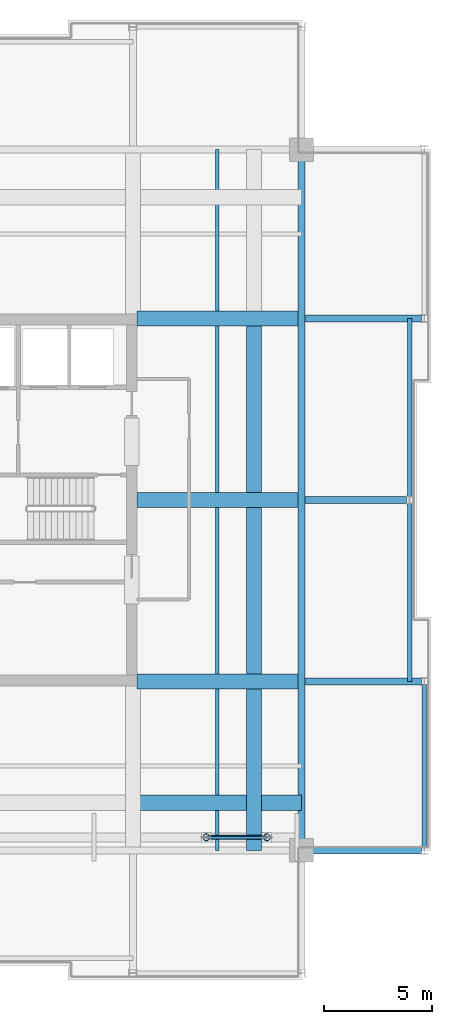
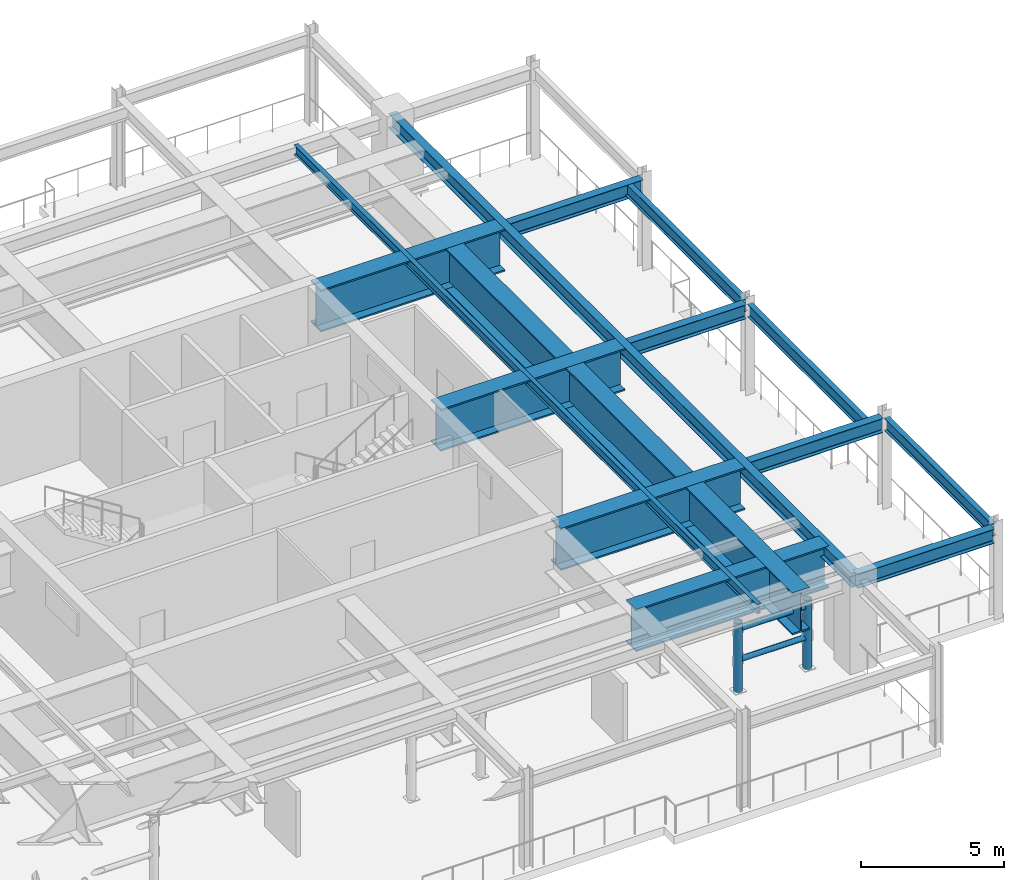
# One storey, part 6 of 12: 16 beams, 4 members.
"""IFC4 building model written with IfcOpenShell, lengths in metres."""

from ifc_helpers import new_model, si_unit, direction, frame, origin, origin_2d, place, context, subcontext, project, spatial, hollow_circle, i_section, extrude, material, material_profile, profile_set, type_object, element, save


model = new_model("IFC4")

# Units and contexts
model_context = context("Model", 3, precision=1e-05, world=origin(), true_north=direction((0.0, 1.0)))
body_context = subcontext(model_context, "Body", "Model", "MODEL_VIEW")
ifc_project = project(units=[si_unit("LENGTHUNIT", "METRE"), si_unit("AREAUNIT", "SQUARE_METRE"), si_unit("VOLUMEUNIT", "CUBIC_METRE"), si_unit("PLANEANGLEUNIT", "RADIAN"), si_unit("MASSUNIT", "GRAM", prefix="KILO")], contexts=[model_context])

# Site, building, storey
site_placement = place(None, origin())
site = spatial("IfcSite", under=ifc_project, at=site_placement, CompositionType="ELEMENT")
building_placement = place(site_placement, origin())
building = spatial("IfcBuilding", under=site, at=building_placement, Name="Drelvath Grand Hotel", CompositionType="ELEMENT")
storey_placement = place(building_placement, frame((0.0, 0.0, 307.199951171875)))
storey = spatial("IfcBuildingStorey", under=building, at=storey_placement, Name="L80", CompositionType="ELEMENT", Elevation=307.199951171875)

# Beams
ifc_material_1 = material(Name="Steel ASTM A572 Gr 50", Category="steel")
ifc_material_profile_1 = material_profile(ifc_material_1, i_section(OverallWidth=0.699951171875, OverallDepth=1.800048828125, WebThickness=0.035888671875, FlangeThickness=0.06494140625, at=origin_2d()), Name="PG1800X700")
ifc_profile_set_1 = profile_set([ifc_material_profile_1], Name="Steel ASTM A572 Gr 50")
beam_type_1 = type_object("IfcBeamType", Name="Built-Up Transfer Girder PG1800X700", PredefinedType="BEAM", material=ifc_profile_set_1)
beam_1_placement = place(storey_placement, frame((14.0, 10.800048828125, 2.97998046875), z_axis=(0.0, 1.0, 0.0), x_axis=(-1.0, 0.0, 0.0)))
element("IfcBeam", 1, at=beam_1_placement, inside=storey, type_object=beam_type_1, Name="L80 Crown Drum Transfer Girder East 1", PredefinedType="BEAM", context=body_context, shape_type="SweptSolid", body=[
    extrude(i_section(OverallWidth=0.699951171875, OverallDepth=1.800048828125, WebThickness=0.035888671875, FlangeThickness=0.06494140625, at=origin_2d()), origin(), (0.0, 0.0, 1.0), 7.800048828125),
])
for number, where, z_axis, x_axis, name in (
    (2, (14.0, 18.60009765625, 2.97998046875), (0.0, 1.0, 0.0), (-1.0, 0.0, 0.0), "L80 Crown Drum Transfer Girder East 2"),
    (3, (14.0, 27.0, 2.97998046875), (0.0, 1.0, 0.0), (-1.0, 0.0, 0.0), "L80 Crown Drum Transfer Girder East 3"),
):
    element("IfcBeam", number, at=place(storey_placement, frame(where, z_axis=z_axis, x_axis=x_axis)), inside=storey, type_object=beam_type_1, Name=name, PredefinedType="BEAM", context=body_context, shape_type="SweptSolid", body=[
        extrude(i_section(OverallWidth=0.699951171875, OverallDepth=1.800048828125, WebThickness=0.035888671875, FlangeThickness=0.06494140625, at=origin_2d()), origin(), (0.0, 0.0, 1.0), 8.39990234375),
    ])
beam_2_placement = place(storey_placement, frame((8.39990234375, 13.0, 2.97998046875), z_axis=(1.0, 0.0, 0.0), x_axis=(0.0, 1.0, 0.0)))
element("IfcBeam", 4, at=beam_2_placement, inside=storey, type_object=beam_type_1, Name="L80 Crown Drum Transfer Girder South 4", PredefinedType="BEAM", context=body_context, shape_type="SweptSolid", body=[
    extrude(i_section(OverallWidth=0.699951171875, OverallDepth=1.800048828125, WebThickness=0.035888671875, FlangeThickness=0.06494140625, at=origin_2d()), origin(), (0.0, 0.0, 1.0), 7.800048828125),
])
for number, where, z_axis, x_axis, name in (
    (5, (8.60009765625, 18.60009765625, 2.97998046875), (1.0, 0.0, 0.0), (0.0, 1.0, 0.0), "L80 Drum Cross Transfer East D"),
    (6, (8.60009765625, 27.0, 2.97998046875), (1.0, 0.0, 0.0), (0.0, 1.0, 0.0), "L80 Drum Cross Transfer East E"),
    (7, (8.60009765625, 35.39990234375, 2.97998046875), (1.0, 0.0, 0.0), (0.0, 1.0, 0.0), "L80 Drum Cross Transfer East F"),
):
    element("IfcBeam", number, at=place(storey_placement, frame(where, z_axis=z_axis, x_axis=x_axis)), inside=storey, type_object=beam_type_1, Name=name, PredefinedType="BEAM", context=body_context, shape_type="SweptSolid", body=[
        extrude(i_section(OverallWidth=0.699951171875, OverallDepth=1.800048828125, WebThickness=0.035888671875, FlangeThickness=0.06494140625, at=origin_2d()), origin(), (0.0, 0.0, 1.0), 7.43798828125),
    ])
ifc_material_2 = material(Name="Steel ASTM A992 Gr 50", Category="steel")
ifc_material_profile_2 = material_profile(ifc_material_2, i_section(OverallWidth=0.177734375, OverallDepth=0.40673828125, WebThickness=0.0078125, FlangeThickness=0.0126953125, FilletRadius=0.014892578125, at=origin_2d()), Name="W16X40")
ifc_profile_set_2 = profile_set([ifc_material_profile_2], Name="Steel ASTM A992 Gr 50")
beam_type_2 = type_object("IfcBeamType", Name="Composite Floor Joist W16X40", PredefinedType="JOIST", material=ifc_profile_set_2)
beam_3_placement = place(storey_placement, frame((12.300048828125, 10.800048828125, 3.6767578125), z_axis=(0.0, 1.0, 0.0), x_axis=(-1.0, 0.0, 0.0)))
element("IfcBeam", 8, at=beam_3_placement, inside=storey, type_object=beam_type_2, Name="L80 Wing Floor Joist J4", PredefinedType="JOIST", context=body_context, shape_type="SweptSolid", body=[
    extrude(i_section(OverallWidth=0.177734375, OverallDepth=0.40673828125, WebThickness=0.0078125, FlangeThickness=0.0126953125, FilletRadius=0.014892578125, at=origin_2d()), origin(), (0.0, 0.0, 1.0), 32.39990234375),
])
ifc_material_profile_3 = material_profile(ifc_material_2, i_section(OverallWidth=0.210205078125, OverallDepth=0.53662109375, WebThickness=0.010986328125, FlangeThickness=0.017333984375, FilletRadius=0.01806640625, at=origin_2d()), Name="W21X68")
ifc_profile_set_3 = profile_set([ifc_material_profile_3], Name="Steel ASTM A992 Gr 50")
beam_type_3 = type_object("IfcBeamType", Name="Perimeter Spandrel Beam W21X68", PredefinedType="SPANDREL", material=ifc_profile_set_3)
beam_4_placement = place(storey_placement, frame((21.8798828125, 10.93994140625, 3.611572265625), z_axis=(0.0, 1.0, 0.0), x_axis=(-1.0, 0.0, 0.0)))
element("IfcBeam", 9, at=beam_4_placement, inside=storey, type_object=beam_type_3, Name="L80 Spandrel East S", PredefinedType="SPANDREL", context=body_context, shape_type="SweptSolid", body=[
    extrude(i_section(OverallWidth=0.210205078125, OverallDepth=0.53662109375, WebThickness=0.010986328125, FlangeThickness=0.017333984375, FilletRadius=0.01806640625, at=origin_2d()), origin(), (0.0, 0.0, 1.0), 7.52001953125),
])
for number, where, z_axis, x_axis, name in (
    (10, (21.199951171875, 18.60009765625, 3.611572265625), (0.0, 1.0, 0.0), (-1.0, 0.0, 0.0), "L80 Spandrel East Mid S"),
    (11, (21.199951171875, 27.139892578125, 3.611572265625), (0.0, 1.0, 0.0), (-1.0, 0.0, 0.0), "L80 Spandrel East Mid N"),
):
    element("IfcBeam", number, at=place(storey_placement, frame(where, z_axis=z_axis, x_axis=x_axis)), inside=storey, type_object=beam_type_3, Name=name, PredefinedType="SPANDREL", context=body_context, shape_type="SweptSolid", body=[
        extrude(i_section(OverallWidth=0.210205078125, OverallDepth=0.53662109375, WebThickness=0.010986328125, FlangeThickness=0.017333984375, FilletRadius=0.01806640625, at=origin_2d()), origin(), (0.0, 0.0, 1.0), 8.260009765625),
    ])
ifc_material_profile_4 = material_profile(ifc_material_2, i_section(OverallWidth=0.323974609375, OverallDepth=0.611083984375, WebThickness=0.0126953125, FlangeThickness=0.01904296875, FilletRadius=0.02197265625, at=origin_2d()), Name="W24X104")
ifc_profile_set_4 = profile_set([ifc_material_profile_4], Name="Steel ASTM A992 Gr 50")
beam_type_4 = type_object("IfcBeamType", Name="Primary Floor Girder W24X104", PredefinedType="BEAM", material=ifc_profile_set_4)
beam_5_placement = place(storey_placement, frame((16.199951171875, 10.800048828125, 3.574462890625), z_axis=(0.0, 1.0, 0.0), x_axis=(-1.0, 0.0, 0.0)))
element("IfcBeam", 12, at=beam_5_placement, inside=storey, type_object=beam_type_4, Name="L80 Mega Ring Girder East", PredefinedType="BEAM", context=body_context, shape_type="SweptSolid", body=[
    extrude(i_section(OverallWidth=0.323974609375, OverallDepth=0.611083984375, WebThickness=0.0126953125, FlangeThickness=0.01904296875, FilletRadius=0.02197265625, at=origin_2d()), origin(), (0.0, 0.0, 1.0), 32.39990234375),
])
beam_6_placement = place(storey_placement, frame((16.199951171875, 10.800048828125, 3.574462890625), z_axis=(1.0, 0.0, 0.0), x_axis=(0.0, 1.0, 0.0)))
element("IfcBeam", 13, at=beam_6_placement, inside=storey, type_object=beam_type_4, Name="L80 East Grid Girder C", PredefinedType="BEAM", context=body_context, shape_type="SweptSolid", body=[
    extrude(i_section(OverallWidth=0.323974609375, OverallDepth=0.611083984375, WebThickness=0.0126953125, FlangeThickness=0.01904296875, FilletRadius=0.02197265625, at=origin_2d()), origin(), (0.0, 0.0, 1.0), 5.5400390625),
])
beam_7_placement = place(storey_placement, frame((16.362060546875, 18.60009765625, 3.574462890625), z_axis=(1.0, 0.0, 0.0), x_axis=(0.0, 1.0, 0.0)))
element("IfcBeam", 14, at=beam_7_placement, inside=storey, type_object=beam_type_4, Name="L80 East Wing Girder D", PredefinedType="BEAM", context=body_context, shape_type="SweptSolid", body=[
    extrude(i_section(OverallWidth=0.323974609375, OverallDepth=0.611083984375, WebThickness=0.0126953125, FlangeThickness=0.01904296875, FilletRadius=0.02197265625, at=origin_2d()), origin(), (0.0, 0.0, 1.0), 5.3779296875),
])
beam_8_placement = place(storey_placement, frame((16.362060546875, 27.0, 3.574462890625), z_axis=(1.0, 0.0, 0.0), x_axis=(0.0, 1.0, 0.0)))
element("IfcBeam", 15, at=beam_8_placement, inside=storey, type_object=beam_type_4, Name="L80 East Wing Girder E", PredefinedType="BEAM", context=body_context, shape_type="SweptSolid", body=[
    extrude(i_section(OverallWidth=0.323974609375, OverallDepth=0.611083984375, WebThickness=0.0126953125, FlangeThickness=0.01904296875, FilletRadius=0.02197265625, at=origin_2d()), origin(), (0.0, 0.0, 1.0), 4.697998046875),
])
beam_9_placement = place(storey_placement, frame((16.362060546875, 35.39990234375, 3.574462890625), z_axis=(1.0, 0.0, 0.0), x_axis=(0.0, 1.0, 0.0)))
element("IfcBeam", 16, at=beam_9_placement, inside=storey, type_object=beam_type_4, Name="L80 East Wing Girder F", PredefinedType="BEAM", context=body_context, shape_type="SweptSolid", body=[
    extrude(i_section(OverallWidth=0.323974609375, OverallDepth=0.611083984375, WebThickness=0.0126953125, FlangeThickness=0.01904296875, FilletRadius=0.02197265625, at=origin_2d()), origin(), (0.0, 0.0, 1.0), 5.3779296875),
])

# Members
ifc_material_3 = material(Name="Steel ASTM A500 Gr C", Category="steel")
ifc_material_profile_5 = material_profile(ifc_material_3, hollow_circle(Radius=0.161865234375, WallThickness=0.015869140625, at=origin_2d()), Name="CHS324X16")
ifc_profile_set_5 = profile_set([ifc_material_profile_5], Name="Steel ASTM A500 Gr C")
member_type_1 = type_object("IfcMemberType", Name="Wind Turbine Pedestal Strut CHS324X16", PredefinedType="STRUT", material=ifc_profile_set_5)
for number, where, z_axis, x_axis, name in (
    (17, (11.800048828125, 11.39990234375, 0.0), (0.0, 0.0, 1.0), (1.0, 0.0, 0.0), "L80 Wind Turbine Pedestal WT-3-L"),
    (18, (14.60009765625, 11.39990234375, 0.0), (0.0, 0.0, 1.0), (1.0, 0.0, 0.0), "L80 Wind Turbine Pedestal WT-3-R"),
):
    element("IfcMember", number, at=place(storey_placement, frame(where, z_axis=z_axis, x_axis=x_axis)), inside=storey, type_object=member_type_1, Name=name, PredefinedType="STRUT", context=body_context, shape_type="SweptSolid", body=[
        extrude(hollow_circle(Radius=0.161865234375, WallThickness=0.015869140625, at=origin_2d()), origin(), (0.0, 0.0, 1.0), 2.953369140625),
    ])
ifc_material_profile_6 = material_profile(ifc_material_3, hollow_circle(Radius=0.109619140625, WallThickness=0.0126953125, at=origin_2d()), Name="CHS219X13")
ifc_profile_set_6 = profile_set([ifc_material_profile_6], Name="Steel ASTM A500 Gr C")
member_type_2 = type_object("IfcMemberType", Name="Wind Turbine Shroud Ring CHS219X13", PredefinedType="STRUT", material=ifc_profile_set_6)
for number, where, z_axis, x_axis, name in (
    (19, (11.800048828125, 11.39990234375, 2.633544921875), (1.0, 0.0, 0.0), (0.0, 1.0, 0.0), "L80 Wind Turbine Shroud Crossbar WT-3"),
    (20, (11.800048828125, 11.39990234375, 1.316650390625), (1.0, 0.0, 0.0), (0.0, 1.0, 0.0), "L80 Wind Turbine Rotor Hub Beam WT-3"),
):
    element("IfcMember", number, at=place(storey_placement, frame(where, z_axis=z_axis, x_axis=x_axis)), inside=storey, type_object=member_type_2, Name=name, PredefinedType="STRUT", context=body_context, shape_type="SweptSolid", body=[
        extrude(hollow_circle(Radius=0.109619140625, WallThickness=0.0126953125, at=origin_2d()), origin(), (0.0, 0.0, 1.0), 2.800048828125),
    ])

save(model, "model.ifc")
